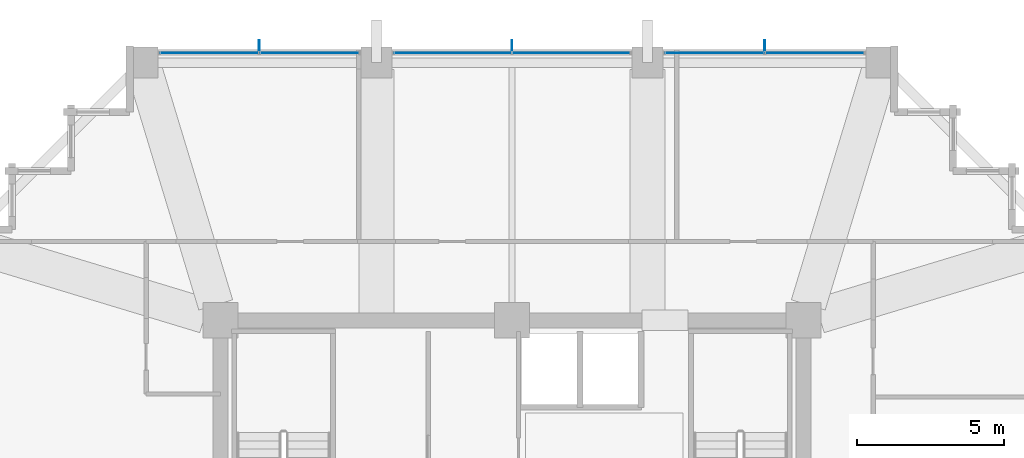
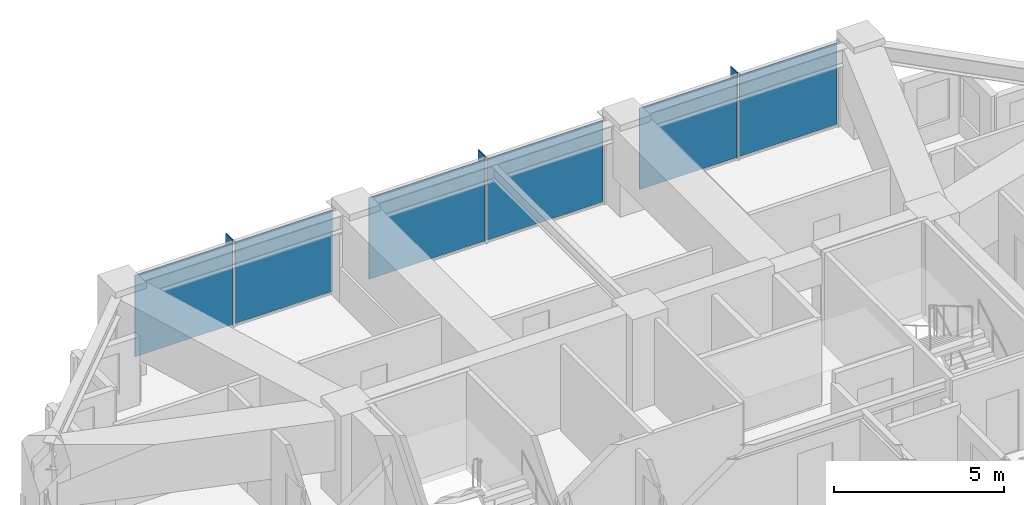
# One storey, part 29 of 36: 9 plates, 3 elements without a shape of their own.
"""IFC4 building model written with IfcOpenShell, lengths in metres."""

from ifc_helpers import new_model, si_unit, direction, frame, origin, origin_2d, place, context, subcontext, project, spatial, rectangle, extrude, material, layer, layer_set, type_object, element, aggregate, save


model = new_model("IFC4")

# Units and contexts
model_context = context("Model", 3, precision=1e-05, world=origin(), true_north=direction((0.0, 1.0)))
body_context = subcontext(model_context, "Body", "Model", "MODEL_VIEW")
ifc_project = project(units=[si_unit("LENGTHUNIT", "METRE"), si_unit("AREAUNIT", "SQUARE_METRE"), si_unit("VOLUMEUNIT", "CUBIC_METRE"), si_unit("PLANEANGLEUNIT", "RADIAN"), si_unit("MASSUNIT", "GRAM", prefix="KILO")], contexts=[model_context])

# Site, building, storey
site_placement = place(None, origin())
site = spatial("IfcSite", under=ifc_project, at=site_placement, CompositionType="ELEMENT")
building_placement = place(site_placement, origin())
building = spatial("IfcBuilding", under=site, at=building_placement, Name="Kolvaren Belvedere", CompositionType="ELEMENT")
storey_placement = place(building_placement, frame((0.0, 0.0, 108.5)))
storey = spatial("IfcBuildingStorey", under=building, at=storey_placement, Name="L31", CompositionType="ELEMENT", Elevation=108.5)

# Curtain wall, plates
ifc_material_1 = material(Name="Anodised pale-metal aluminium AA 6063-T6", Category="aluminium")
curtain_wall_type = type_object("IfcCurtainWallType", Name="CW-Z3-WAIST", PredefinedType="NOTDEFINED", material=ifc_material_1)
curtain_wall_1_placement = place(storey_placement, origin())
curtain_wall_1 = element("IfcCurtainWall", 1, at=curtain_wall_1_placement, inside=storey, type_object=curtain_wall_type, Name="L31 Unitised Curtain Wall FCW-L31-N-B1", PredefinedType="NOTDEFINED")
ifc_material_2 = material(Name="Low-iron triple insulated glass", Category="glass")
ifc_layer_1 = layer(ifc_material_2, 0.028076171875)
ifc_layer_set_1 = layer_set([ifc_layer_1], Name="Low-iron triple insulated glass")
plate_type_1 = type_object("IfcPlateType", Name="CW-PNL-VIS28", PredefinedType="CURTAIN_PANEL", material=ifc_layer_set_1)
plate_1_placement = place(storey_placement, frame((-10.273681640625, 18.97998046875, 0.080078125), z_axis=(0.0, 0.0, 1.0), x_axis=(1.0, 0.0, 0.0)))
plate_1 = element("IfcPlate", 2, at=plate_1_placement, type_object=plate_type_1, Name="FCW-L31-N-B1 Vision Glazing Panel 1", PredefinedType="CURTAIN_PANEL", context=body_context, shape_type="SweptSolid", body=[
    extrude(rectangle(XDim=3.3173828125, YDim=0.028076171875, at=origin_2d()), origin(), (0.0, 0.0, 1.0), 2.919921875),
])
plate_2_placement = place(storey_placement, frame((-6.876220703125, 18.97998046875, 0.080078125), z_axis=(0.0, 0.0, 1.0), x_axis=(1.0, 0.0, 0.0)))
plate_2 = element("IfcPlate", 3, at=plate_2_placement, type_object=plate_type_1, Name="FCW-L31-N-B1 Vision Glazing Panel 2", PredefinedType="CURTAIN_PANEL", context=body_context, shape_type="SweptSolid", body=[
    extrude(rectangle(XDim=3.3173828125, YDim=0.028076171875, at=origin_2d()), origin(), (0.0, 0.0, 1.0), 2.919921875),
])
aggregate(curtain_wall_1, [plate_1, plate_2])

curtain_wall_2_placement = place(storey_placement, origin())
curtain_wall_2 = element("IfcCurtainWall", 4, at=curtain_wall_2_placement, inside=storey, type_object=curtain_wall_type, Name="L31 Unitised Curtain Wall FCW-L31-N-B2", PredefinedType="NOTDEFINED")
plate_3_placement = place(storey_placement, frame((-2.01123046875, 18.97998046875, 0.080078125), z_axis=(0.0, 0.0, 1.0), x_axis=(1.0, 0.0, 0.0)))
plate_3 = element("IfcPlate", 5, at=plate_3_placement, type_object=plate_type_1, Name="FCW-L31-N-B2 Vision Glazing Panel 1", PredefinedType="CURTAIN_PANEL", context=body_context, shape_type="SweptSolid", body=[
    extrude(rectangle(XDim=3.9423828125, YDim=0.028076171875, at=origin_2d()), origin(), (0.0, 0.0, 1.0), 2.919921875),
])
plate_4_placement = place(storey_placement, frame((2.01123046875, 18.97998046875, 0.080078125), z_axis=(0.0, 0.0, 1.0), x_axis=(1.0, 0.0, 0.0)))
plate_4 = element("IfcPlate", 6, at=plate_4_placement, type_object=plate_type_1, Name="FCW-L31-N-B2 Vision Glazing Panel 2", PredefinedType="CURTAIN_PANEL", context=body_context, shape_type="SweptSolid", body=[
    extrude(rectangle(XDim=3.9423828125, YDim=0.028076171875, at=origin_2d()), origin(), (0.0, 0.0, 1.0), 2.919921875),
])
aggregate(curtain_wall_2, [plate_3, plate_4])

curtain_wall_3_placement = place(storey_placement, origin())
curtain_wall_3 = element("IfcCurtainWall", 7, at=curtain_wall_3_placement, inside=storey, type_object=curtain_wall_type, Name="L31 Unitised Curtain Wall FCW-L31-N-B3", PredefinedType="NOTDEFINED")
plate_5_placement = place(storey_placement, frame((6.876220703125, 18.97998046875, 0.080078125), z_axis=(0.0, 0.0, 1.0), x_axis=(1.0, 0.0, 0.0)))
plate_5 = element("IfcPlate", 8, at=plate_5_placement, type_object=plate_type_1, Name="FCW-L31-N-B3 Vision Glazing Panel 1", PredefinedType="CURTAIN_PANEL", context=body_context, shape_type="SweptSolid", body=[
    extrude(rectangle(XDim=3.3173828125, YDim=0.028076171875, at=origin_2d()), origin(), (0.0, 0.0, 1.0), 2.919921875),
])
plate_6_placement = place(storey_placement, frame((10.273681640625, 18.97998046875, 0.080078125), z_axis=(0.0, 0.0, 1.0), x_axis=(1.0, 0.0, 0.0)))
plate_6 = element("IfcPlate", 9, at=plate_6_placement, type_object=plate_type_1, Name="FCW-L31-N-B3 Vision Glazing Panel 2", PredefinedType="CURTAIN_PANEL", context=body_context, shape_type="SweptSolid", body=[
    extrude(rectangle(XDim=3.3173828125, YDim=0.028076171875, at=origin_2d()), origin(), (0.0, 0.0, 1.0), 2.919921875),
])
aggregate(curtain_wall_3, [plate_5, plate_6])

# Plates
ifc_material_3 = material(Name="Anodised pale-metal aluminium AA 6063-T6", Category="aluminium")
ifc_layer_2 = layer(ifc_material_3, 0.033935546875)
ifc_layer_set_2 = layer_set([ifc_layer_2], Name="Anodised pale-metal aluminium AA 6063-T6")
plate_type_2 = type_object("IfcPlateType", Name="FIN-VERT-380", PredefinedType="USERDEFINED", material=ifc_layer_set_2)
for number, where, z_axis, x_axis, name in (
    (10, (-8.574951171875, 19.219970703125, 0.0), (0.0, 0.0, 1.0), (0.0, 1.0, 0.0), "L31 Pale-Metal Vertical Shading Fin FCW-L31-N-B1-1"),
    (11, (0.0, 19.219970703125, 0.0), (0.0, 0.0, 1.0), (0.0, 1.0, 0.0), "L31 Pale-Metal Vertical Shading Fin FCW-L31-N-B2-1"),
    (12, (8.574951171875, 19.219970703125, 0.0), (0.0, 0.0, 1.0), (0.0, 1.0, 0.0), "L31 Pale-Metal Vertical Shading Fin FCW-L31-N-B3-1"),
):
    element("IfcPlate", number, at=place(storey_placement, frame(where, z_axis=z_axis, x_axis=x_axis)), inside=storey, type_object=plate_type_2, Name=name, ObjectType="VERTICAL FIN", PredefinedType="USERDEFINED", context=body_context, shape_type="SweptSolid", body=[
        extrude(rectangle(XDim=0.3798828125, YDim=0.033935546875, at=origin_2d()), origin(), (0.0, 0.0, 1.0), 3.080078125),
    ])

save(model, "model.ifc")
